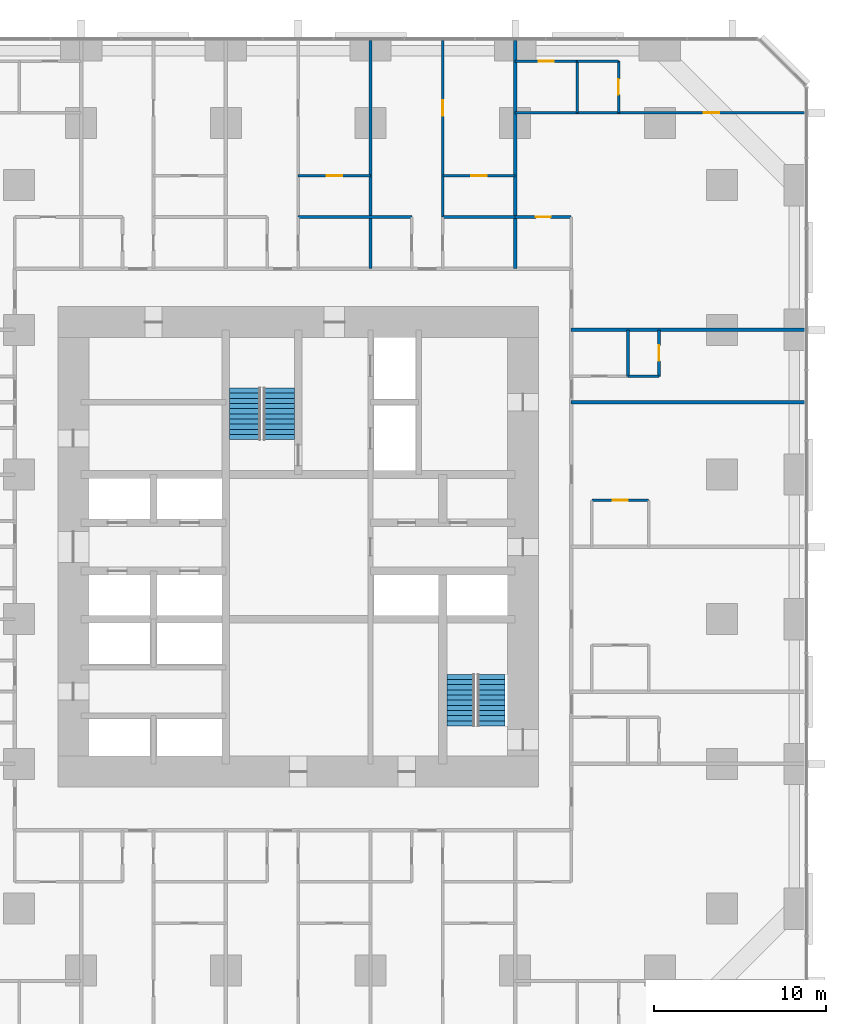
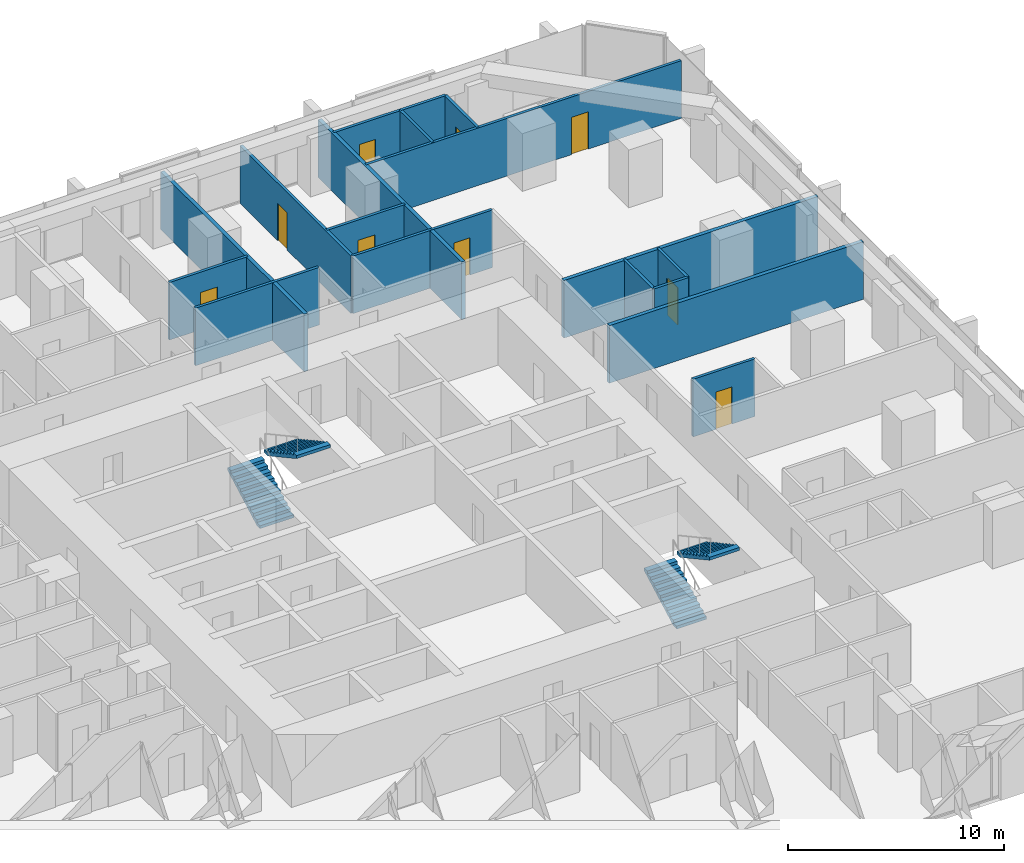
# One storey, part 16 of 17: 19 walls, 9 doors, 4 stair flights, 9 openings, 2 elements without a shape of their own.
"""IFC4 building model written with IfcOpenShell, lengths in metres."""

import ifcopenshell
import ifcopenshell.guid

model = None  # the IFC model being written
_history = None  # IfcOwnerHistory: only IFC2X3 demands one
_inside = {}  # id of a spatial element -> (the spatial element, [elements in it])
_under = {}  # id of a project, library or spatial element -> (it, [spatial elements below it])
_declared = {}  # id of a project -> (the project, [libraries it declares])
_typed = {}  # id of a type object -> (the type object, [elements of that type])
_made_of = {}  # id of a material, layer set ... -> (it, [elements and type objects made of it])


def new_model(schema):
    """Start an empty IFC model of exactly this schema.

    Asked for "IFC4X3", IfcOpenShell would pick the latest addendum, in which some entities
    have other attributes; the version numbers below select the first issue.
    IFC2X3 requires an IfcOwnerHistory on every rooted entity: one is made here for all.
    """
    global model, _history
    if schema == "IFC4X3":
        model = ifcopenshell.file(schema_version=(4, 3, 0, 0))
    else:
        model = ifcopenshell.file(schema=schema)
    _inside.clear()
    _under.clear()
    _declared.clear()
    _typed.clear()
    _made_of.clear()
    _history = None
    if model.schema == "IFC2X3":
        org = make("IfcOrganization", Name="unknown")
        user = make(
            "IfcPersonAndOrganization",
            ThePerson=make("IfcPerson", FamilyName="unknown"),
            TheOrganization=org,
        )
        app = make(
            "IfcApplication",
            ApplicationDeveloper=org,
            Version="unknown",
            ApplicationFullName="unknown",
            ApplicationIdentifier="unknown",
        )
        _history = make(
            "IfcOwnerHistory",
            OwningUser=user,
            OwningApplication=app,
            ChangeAction="ADDED",
            CreationDate=0,
        )
    return model


def make(cls, **values):
    """One entity of the class cls with the attributes given. An attribute that is None is left unset."""
    return model.create_entity(
        cls, **{name: value for name, value in values.items() if value is not None}
    )


def rooted(cls, **values):
    """An entity with a GlobalId (a new one), such as an element, a storey or a relation."""
    return make(cls, GlobalId=ifcopenshell.guid.new(), OwnerHistory=_history, **values)


def si_unit(unit_type, name, prefix=None):
    """IfcSIUnit, for example si_unit("LENGTHUNIT", "METRE", prefix="MILLI")."""
    return make("IfcSIUnit", UnitType=unit_type, Prefix=prefix, Name=name)


def assignment(units):
    """IfcUnitAssignment: the units of a project."""
    return None if units is None else make("IfcUnitAssignment", Units=units)


def point(xyz):
    """IfcCartesianPoint."""
    return None if xyz is None else make("IfcCartesianPoint", Coordinates=xyz)


def direction(xyz):
    """IfcDirection."""
    return None if xyz is None else make("IfcDirection", DirectionRatios=xyz)


def frame(location, z_axis=None, x_axis=None):
    """IfcAxis2Placement3D, a coordinate frame: its origin and axes. An axis left out is left unset."""
    return make(
        "IfcAxis2Placement3D",
        Location=point(location),
        Axis=direction(z_axis),
        RefDirection=direction(x_axis),
    )


def frame_2d(location, x_axis=None):
    """IfcAxis2Placement2D, a coordinate frame in the plane: its origin and x axis."""
    return make(
        "IfcAxis2Placement2D", Location=point(location), RefDirection=direction(x_axis)
    )


def origin():
    """The frame at (0, 0, 0) with its axes left unset."""
    return frame((0.0, 0.0, 0.0))


def place(relative_to, where):
    """IfcLocalPlacement: puts the frame where relative to a parent placement (None: the world)."""
    return make(
        "IfcLocalPlacement", PlacementRelTo=relative_to, RelativePlacement=where
    )


def context(
    kind, dimensions, precision=None, world=None, true_north=None, identifier=None
):
    """IfcGeometricRepresentationContext, for example the 3D "Model" context."""
    return make(
        "IfcGeometricRepresentationContext",
        ContextIdentifier=identifier,
        ContextType=kind,
        CoordinateSpaceDimension=dimensions,
        Precision=precision,
        WorldCoordinateSystem=world,
        TrueNorth=true_north,
    )


def subcontext(parent, identifier, kind, view, scale=None):
    """IfcGeometricRepresentationSubContext, for example "Body" below "Model"."""
    return make(
        "IfcGeometricRepresentationSubContext",
        ContextIdentifier=identifier,
        ContextType=kind,
        ParentContext=parent,
        TargetScale=scale,
        TargetView=view,
    )


def project(units=None, contexts=None):
    """IfcProject with its units and contexts."""
    return rooted(
        "IfcProject",
        Name="project",
        RepresentationContexts=contexts,
        UnitsInContext=assignment(units),
    )


def spatial(cls, under=None, at=None, **own):
    """A site, building, storey or space (cls), placed at a placement, below another one or the project."""
    s = rooted(cls, ObjectPlacement=at, **own)
    if under is not None:
        _under.setdefault(under.id(), (under, []))[1].append(s)
    return s


def polyline(points):
    """IfcPolyline through the points."""
    return make("IfcPolyline", Points=[point(p) for p in points])


def profile(cls, at=None, kind="AREA", **sizes):
    """A parametric profile (cls). Its sizes go by their IFC names, for example OverallWidth=200.0."""
    return make(cls, ProfileType=kind, Position=at, **sizes)


def rectangle(**sizes):
    """IfcRectangleProfileDef."""
    return profile("IfcRectangleProfileDef", **sizes)


def outline(outer, holes=None, kind="AREA"):
    """IfcArbitraryClosedProfileDef: a profile drawn as a closed curve; with holes, ...WithVoids."""
    if holes is None:
        return make("IfcArbitraryClosedProfileDef", ProfileType=kind, OuterCurve=outer)
    return make(
        "IfcArbitraryProfileDefWithVoids",
        ProfileType=kind,
        OuterCurve=outer,
        InnerCurves=holes,
    )


def extrude(swept, where, along, depth):
    """IfcExtrudedAreaSolid: the profile swept, set in the frame where, extruded along a direction by depth."""
    return make(
        "IfcExtrudedAreaSolid",
        SweptArea=swept,
        Position=where,
        ExtrudedDirection=direction(along),
        Depth=depth,
    )


def shape(context_of_items, identifier, shape_type, items):
    """IfcShapeRepresentation: the items that make up one representation, for example the "Body"."""
    return make(
        "IfcShapeRepresentation",
        ContextOfItems=context_of_items,
        RepresentationIdentifier=identifier,
        RepresentationType=shape_type,
        Items=items,
    )


def material(Name=None, Category=None):
    """IfcMaterial."""
    return make("IfcMaterial", Name=Name, Category=Category)


def layer(
    of_material, thickness, ventilated=None, Name=None, Category=None, Priority=None
):
    """IfcMaterialLayer: one layer of a wall or slab, of a material (None: an air gap)."""
    return make(
        "IfcMaterialLayer",
        Material=of_material,
        LayerThickness=thickness,
        IsVentilated=ventilated,
        Name=Name,
        Category=Category,
        Priority=Priority,
    )


def layer_set(layers, Name=None):
    """IfcMaterialLayerSet."""
    return make("IfcMaterialLayerSet", MaterialLayers=layers, LayerSetName=Name)


def made_of(thing, what):
    """Note that an element or type object is made of a material, layer set ...; save() writes the relation."""
    if what is not None:
        _made_of.setdefault(what.id(), (what, []))[1].append(thing)
    return thing


def type_object(cls, material=None, **own):
    """A type object (cls), such as IfcWallType, which elements share."""
    return made_of(rooted(cls, **own), material)


def element(
    cls,
    number,
    at=None,
    inside=None,
    cuts=None,
    type_object=None,
    material=None,
    context=None,
    identifier="Body",
    shape_type=None,
    held_by="IfcProductDefinitionShape",
    body=None,
    shapes=None,
    **own,
):
    """One element of the class cls, such as IfcWall. Its Tag is "e" and its number.

    at: its placement. inside: the storey or other place that contains it. cuts: it is an
    opening in that element (IfcRelVoidsElement). A single representation is given by context,
    identifier, shape_type and body (its items); several are given by shapes. held_by: the class
    of the entity that holds the representations. save() writes the other relations.
    """
    e = rooted(cls, Tag="e%d" % number, ObjectPlacement=at, **own)
    if body is not None:
        shapes = [shape(context, identifier, shape_type, body)]
    if shapes is not None:
        e.Representation = make(held_by, Representations=shapes)
    if inside is not None:
        _inside.setdefault(inside.id(), (inside, []))[1].append(e)
    if cuts is not None:
        rooted(
            "IfcRelVoidsElement", RelatingBuildingElement=cuts, RelatedOpeningElement=e
        )
    if type_object is not None:
        _typed.setdefault(type_object.id(), (type_object, []))[1].append(e)
    return made_of(e, material)


def fill(opening, filler):
    """IfcRelFillsElement: the door or window that sits in an opening."""
    return rooted(
        "IfcRelFillsElement",
        RelatingOpeningElement=opening,
        RelatedBuildingElement=filler,
    )


def aggregate(whole, parts):
    """IfcRelAggregates: a whole, such as a stair, and the parts it consists of."""
    return rooted("IfcRelAggregates", RelatingObject=whole, RelatedObjects=parts)


def save(model, path):
    """Write the relations noted so far, then the file.

    IfcRelAggregates (storeys below a building ...), IfcRelContainedInSpatialStructure (elements
    in a storey), IfcRelDefinesByType, IfcRelAssociatesMaterial and IfcRelDeclares: one each for
    every whole, place, type object, material and project.
    """
    for whole, parts in _under.values():
        aggregate(whole, parts)
    for where, things in _inside.values():
        rooted(
            "IfcRelContainedInSpatialStructure",
            RelatedElements=things,
            RelatingStructure=where,
        )
    for kind, things in _typed.values():
        rooted("IfcRelDefinesByType", RelatedObjects=things, RelatingType=kind)
    for what, things in _made_of.values():
        rooted("IfcRelAssociatesMaterial", RelatedObjects=things, RelatingMaterial=what)
    for by, libraries in _declared.values():
        rooted("IfcRelDeclares", RelatingContext=by, RelatedDefinitions=libraries)
    model.write(path)


model = new_model("IFC4")

# Units and contexts
model_context = context("Model", 3, precision=1e-05, world=origin(), true_north=direction((0.0, 1.0)))
body_context = subcontext(model_context, "Body", "Model", "MODEL_VIEW")
ifc_project = project(units=[si_unit("LENGTHUNIT", "METRE"), si_unit("AREAUNIT", "SQUARE_METRE"), si_unit("VOLUMEUNIT", "CUBIC_METRE"), si_unit("PLANEANGLEUNIT", "RADIAN"), si_unit("MASSUNIT", "GRAM", prefix="KILO")], contexts=[model_context])

# Site, building, storey
site_placement = place(None, origin())
site = spatial("IfcSite", under=ifc_project, at=site_placement, CompositionType="ELEMENT")
building_placement = place(site_placement, origin())
building = spatial("IfcBuilding", under=site, at=building_placement, Name="Dunama Terrace Hotel", CompositionType="ELEMENT")
storey_placement = place(building_placement, frame((0.0, 0.0, 45.0)))
storey = spatial("IfcBuildingStorey", under=building, at=storey_placement, Name="L10", CompositionType="ELEMENT", Elevation=45.0)

# Wall, opening, door
ifc_material_1 = material(Name="Gypsum board partition", Category="masonry")
ifc_layer_1 = layer(ifc_material_1, 0.14990234375)
ifc_layer_set_1 = layer_set([ifc_layer_1], Name="Bathroom partition 150")
wall_type_1 = type_object("IfcWallType", Name="Bathroom partition 150", PredefinedType="PARTITIONING", material=ifc_layer_set_1)
wall_1_placement = place(storey_placement, frame((46.449951171875, 32.10009765625, 0.0), z_axis=(0.0, 0.0, 1.0), x_axis=(1.0, 0.0, 0.0)))
wall_1 = element("IfcWall", 1, at=wall_1_placement, inside=storey, type_object=wall_type_1, Name="Bathroom partition 150 L10", PredefinedType="PARTITIONING", context=body_context, shape_type="SweptSolid", body=[
    extrude(rectangle(XDim=3.300048828125, YDim=0.14990234375, at=frame_2d((1.64990234375, 0.0))), origin(), (0.0, 0.0, 1.0), 3.25),
])
opening_1_placement = place(wall_1_placement, frame((1.22509765625, 0.0, 0.0)))
opening_1 = element("IfcOpeningElement", 2, at=opening_1_placement, cuts=wall_1, Name="Opening L10-11-030", PredefinedType="OPENING", context=body_context, shape_type="SweptSolid", body=[
    extrude(rectangle(XDim=0.85009765625, YDim=2.10009765625, at=frame_2d((0.425048828125, 1.050048828125))), frame((0.0, 0.0849609375, 0.0), z_axis=(0.0, -1.0, 0.0), x_axis=(1.0, 0.0, 0.0)), (0.0, 0.0, 1.0), 0.169921875),
])
ifc_material_2 = material(Name="Timber door with steel frame", Category="steel")
door_type_1 = type_object("IfcDoorType", Name="Bathroom door 850", OperationType="SINGLE_SWING_LEFT", PredefinedType="DOOR", material=ifc_material_2)
door_1_placement = place(opening_1_placement, frame((0.85009765625, 0.0, 0.0), z_axis=(0.0, 0.0, 1.0), x_axis=(-1.0, 0.0, 0.0)))
door_1 = element("IfcDoor", 3, at=door_1_placement, inside=storey, type_object=door_type_1, Name="Door to en-suite bathroom L10-11-030, type D2", OperationType="SINGLE_SWING_LEFT", OverallHeight=2.10009765625, OverallWidth=0.85009765625, PredefinedType="DOOR", context=body_context, shape_type="SweptSolid", body=[
    extrude(rectangle(XDim=0.85009765625, YDim=2.10009765625, at=frame_2d((0.425048828125, 1.050048828125))), frame((0.0, 0.025146484375, 0.0), z_axis=(0.0, -1.0, 0.0), x_axis=(1.0, 0.0, 0.0)), (0.0, 0.0, 1.0), 0.050048828125),
])
fill(opening_1, door_1)

wall_2_placement = place(storey_placement, frame((42.0, 48.550048828125, 0.0), z_axis=(0.0, 0.0, 1.0), x_axis=(1.0, 0.0, 0.0)))
wall_2 = element("IfcWall", 4, at=wall_2_placement, inside=storey, type_object=wall_type_1, Name="Bathroom partition 150 L10", PredefinedType="PARTITIONING", context=body_context, shape_type="SweptSolid", body=[
    extrude(rectangle(XDim=3.25, YDim=0.14990234375, at=frame_2d((1.625, 0.0))), origin(), (0.0, 0.0, 1.0), 3.25),
])
opening_2_placement = place(wall_2_placement, frame((1.199951171875, 0.0, 0.0)))
opening_2 = element("IfcOpeningElement", 5, at=opening_2_placement, cuts=wall_2, Name="Opening L10-11-078", PredefinedType="OPENING", context=body_context, shape_type="SweptSolid", body=[
    extrude(rectangle(XDim=0.85009765625, YDim=2.10009765625, at=frame_2d((0.425048828125, 1.050048828125))), frame((0.0, 0.0849609375, 0.0), z_axis=(0.0, -1.0, 0.0), x_axis=(1.0, 0.0, 0.0)), (0.0, 0.0, 1.0), 0.169921875),
])
door_2_placement = place(opening_2_placement, frame((0.85009765625, 0.0, 0.0), z_axis=(0.0, 0.0, 1.0), x_axis=(-1.0, 0.0, 0.0)))
door_2 = element("IfcDoor", 6, at=door_2_placement, inside=storey, type_object=door_type_1, Name="Door to powder room L10-11-078, type D2", OperationType="SINGLE_SWING_RIGHT", OverallHeight=2.10009765625, OverallWidth=0.85009765625, PredefinedType="DOOR", context=body_context, shape_type="SweptSolid", body=[
    extrude(rectangle(XDim=0.85009765625, YDim=2.10009765625, at=frame_2d((0.425048828125, 1.050048828125))), frame((0.0, 0.025146484375, 0.0), z_axis=(0.0, -1.0, 0.0), x_axis=(1.0, 0.0, 0.0)), (0.0, 0.0, 1.0), 0.050048828125),
])
fill(opening_2, door_2)

wall_3_placement = place(storey_placement, frame((42.0, 57.60009765625, 0.0), z_axis=(0.0, 0.0, 1.0), x_axis=(1.0, 0.0, 0.0)))
wall_3 = element("IfcWall", 7, at=wall_3_placement, inside=storey, type_object=wall_type_1, Name="Bathroom partition 150 L10", PredefinedType="PARTITIONING", context=body_context, shape_type="SweptSolid", body=[
    extrude(rectangle(XDim=3.60009765625, YDim=0.14990234375, at=frame_2d((1.800048828125, 0.0))), origin(), (0.0, 0.0, 1.0), 3.25),
])
opening_3_placement = place(wall_3_placement, frame((1.375, 0.0, 0.0)))
opening_3 = element("IfcOpeningElement", 8, at=opening_3_placement, cuts=wall_3, Name="Opening L10-11-080", PredefinedType="OPENING", context=body_context, shape_type="SweptSolid", body=[
    extrude(rectangle(XDim=0.85009765625, YDim=2.10009765625, at=frame_2d((0.425048828125, 1.050048828125))), frame((0.0, 0.0849609375, 0.0), z_axis=(0.0, -1.0, 0.0), x_axis=(1.0, 0.0, 0.0)), (0.0, 0.0, 1.0), 0.169921875),
])
door_3_placement = place(opening_3_placement, frame((0.85009765625, 0.0, 0.0), z_axis=(0.0, 0.0, 1.0), x_axis=(-1.0, 0.0, 0.0)))
door_3 = element("IfcDoor", 9, at=door_3_placement, inside=storey, type_object=door_type_1, Name="Door to en-suite bathroom L10-11-080, type D2", OperationType="SINGLE_SWING_RIGHT", OverallHeight=2.10009765625, OverallWidth=0.85009765625, PredefinedType="DOOR", context=body_context, shape_type="SweptSolid", body=[
    extrude(rectangle(XDim=0.85009765625, YDim=2.10009765625, at=frame_2d((0.425048828125, 1.050048828125))), frame((0.0, 0.025146484375, 0.0), z_axis=(0.0, -1.0, 0.0), x_axis=(1.0, 0.0, 0.0)), (0.0, 0.0, 1.0), 0.050048828125),
])
fill(opening_3, door_3)

# Walls
ifc_material_3 = material(Name="Concrete blockwork", Category="masonry")
ifc_layer_2 = layer(ifc_material_3, 0.199951171875)
ifc_layer_set_2 = layer_set([ifc_layer_2], Name="Party wall 200")
wall_type_2 = type_object("IfcWallType", Name="Party wall 200", PredefinedType="PARTITIONING", material=ifc_layer_set_2)
for number, where, z_axis, x_axis, name in (
    (10, (33.60009765625, 45.550048828125, 0.0), (0.0, 0.0, 1.0), (0.0, 1.0, 0.0), "Party wall 200 L10"),
    (11, (42.0, 45.550048828125, 0.0), (0.0, 0.0, 1.0), (0.0, 1.0, 0.0), "Party wall 200 L10"),
):
    element("IfcWall", number, at=place(storey_placement, frame(where, z_axis=z_axis, x_axis=x_axis)), inside=storey, type_object=wall_type_2, Name=name, PredefinedType="PARTITIONING", context=body_context, shape_type="SweptSolid", body=[
        extrude(rectangle(XDim=13.258056640625, YDim=0.199951171875, at=frame_2d((6.62890625, 0.0))), origin(), (0.0, 0.0, 1.0), 3.25),
    ])
for number, where, z_axis, x_axis, name in (
    (12, (45.25, 37.800048828125, 0.0), (0.0, 0.0, 1.0), (1.0, 0.0, 0.0), "Party wall 200 L10"),
    (13, (45.25, 42.0, 0.0), (0.0, 0.0, 1.0), (1.0, 0.0, 0.0), "Party wall 200 L10"),
):
    element("IfcWall", number, at=place(storey_placement, frame(where, z_axis=z_axis, x_axis=x_axis)), inside=storey, type_object=wall_type_2, Name=name, PredefinedType="PARTITIONING", context=body_context, shape_type="SweptSolid", body=[
        extrude(rectangle(XDim=13.55810546875, YDim=0.199951171875, at=frame_2d((6.779052734375, 0.0))), origin(), (0.0, 0.0, 1.0), 3.25),
    ])

# Wall, opening, door
ifc_material_4 = material(Name="Gypsum board partition", Category="masonry")
ifc_layer_3 = layer(ifc_material_4, 0.14990234375)
ifc_layer_set_3 = layer_set([ifc_layer_3], Name="Room partition 150")
wall_type_3 = type_object("IfcWallType", Name="Room partition 150", PredefinedType="PARTITIONING", material=ifc_layer_set_3)
wall_4_placement = place(storey_placement, frame((37.800048828125, 48.550048828125, 0.0), z_axis=(0.0, 0.0, 1.0), x_axis=(0.0, 1.0, 0.0)))
wall_4 = element("IfcWall", 14, at=wall_4_placement, inside=storey, type_object=wall_type_3, Name="Room partition 150 L10", PredefinedType="PARTITIONING", context=body_context, shape_type="SweptSolid", body=[
    extrude(rectangle(XDim=10.258056640625, YDim=0.14990234375, at=frame_2d((5.12890625, 0.0))), origin(), (0.0, 0.0, 1.0), 3.25),
])
opening_4_placement = place(wall_4_placement, frame((5.875, 0.0, 0.0)))
opening_4 = element("IfcOpeningElement", 15, at=opening_4_placement, cuts=wall_4, Name="Opening L10-11-048", PredefinedType="OPENING", context=body_context, shape_type="SweptSolid", body=[
    extrude(rectangle(XDim=0.89990234375, YDim=2.10009765625, at=frame_2d((0.449951171875, 1.050048828125))), frame((0.0, 0.0849609375, 0.0), z_axis=(0.0, -1.0, 0.0), x_axis=(1.0, 0.0, 0.0)), (0.0, 0.0, 1.0), 0.169921875),
])
ifc_material_5 = material(Name="Timber door with steel frame", Category="steel")
door_type_2 = type_object("IfcDoorType", Name="Suite internal door 900", OperationType="SINGLE_SWING_LEFT", PredefinedType="DOOR", material=ifc_material_5)
door_4_placement = place(opening_4_placement, frame((0.89990234375, 0.0, 0.0), z_axis=(0.0, 0.0, 1.0), x_axis=(-1.0, 0.0, 0.0)))
door_4 = element("IfcDoor", 16, at=door_4_placement, inside=storey, type_object=door_type_2, Name="Door to residence bedroom L10-11-048, type D16", OperationType="SINGLE_SWING_RIGHT", OverallHeight=2.10009765625, OverallWidth=0.89990234375, PredefinedType="DOOR", context=body_context, shape_type="SweptSolid", body=[
    extrude(rectangle(XDim=0.89990234375, YDim=2.10009765625, at=frame_2d((0.449951171875, 1.050048828125))), frame((0.0, 0.025146484375, 0.0), z_axis=(0.0, -1.0, 0.0), x_axis=(1.0, 0.0, 0.0)), (0.0, 0.0, 1.0), 0.050048828125),
])
fill(opening_4, door_4)

# Wall
wall_5_placement = place(storey_placement, frame((45.60009765625, 54.60009765625, 0.0), z_axis=(0.0, 0.0, 1.0), x_axis=(0.0, 1.0, 0.0)))
element("IfcWall", 17, at=wall_5_placement, inside=storey, type_object=wall_type_3, Name="Room partition 150 L10", PredefinedType="PARTITIONING", context=body_context, shape_type="SweptSolid", body=[
    extrude(rectangle(XDim=3.0, YDim=0.14990234375, at=frame_2d((1.5, 0.0))), origin(), (0.0, 0.0, 1.0), 3.25),
])

# Wall, opening, door
wall_6_placement = place(storey_placement, frame((48.0, 54.60009765625, 0.0), z_axis=(0.0, 0.0, 1.0), x_axis=(0.0, 1.0, 0.0)))
wall_6 = element("IfcWall", 18, at=wall_6_placement, inside=storey, type_object=wall_type_3, Name="Room partition 150 L10", PredefinedType="PARTITIONING", context=body_context, shape_type="SweptSolid", body=[
    extrude(rectangle(XDim=3.0, YDim=0.14990234375, at=frame_2d((1.5, 0.0))), origin(), (0.0, 0.0, 1.0), 3.25),
])
opening_5_placement = place(wall_6_placement, frame((1.050048828125, 0.0, 0.0)))
opening_5 = element("IfcOpeningElement", 19, at=opening_5_placement, cuts=wall_6, Name="Opening L10-11-081", PredefinedType="OPENING", context=body_context, shape_type="SweptSolid", body=[
    extrude(rectangle(XDim=0.89990234375, YDim=2.10009765625, at=frame_2d((0.449951171875, 1.050048828125))), frame((0.0, 0.0849609375, 0.0), z_axis=(0.0, -1.0, 0.0), x_axis=(1.0, 0.0, 0.0)), (0.0, 0.0, 1.0), 0.169921875),
])
door_5_placement = place(opening_5_placement, origin())
door_5 = element("IfcDoor", 20, at=door_5_placement, inside=storey, type_object=door_type_2, Name="Door to dressing room L10-11-081, type D16", OperationType="SINGLE_SWING_LEFT", OverallHeight=2.10009765625, OverallWidth=0.89990234375, PredefinedType="DOOR", context=body_context, shape_type="SweptSolid", body=[
    extrude(rectangle(XDim=0.89990234375, YDim=2.10009765625, at=frame_2d((0.449951171875, 1.050048828125))), frame((0.0, 0.02490234375, 0.0), z_axis=(0.0, -1.0, 0.0), x_axis=(1.0, 0.0, 0.0)), (0.0, 0.0, 1.0), 0.050048828125),
])
fill(opening_5, door_5)

# Wall
wall_7_placement = place(storey_placement, frame((48.550048828125, 39.300048828125, 0.0), z_axis=(0.0, 0.0, 1.0), x_axis=(0.0, 1.0, 0.0)))
element("IfcWall", 21, at=wall_7_placement, inside=storey, type_object=wall_type_3, Name="Room partition 150 L10", PredefinedType="PARTITIONING", context=body_context, shape_type="SweptSolid", body=[
    extrude(rectangle(XDim=2.699951171875, YDim=0.14990234375, at=frame_2d((1.35009765625, 0.0))), origin(), (0.0, 0.0, 1.0), 3.25),
])

# Wall, opening, door
wall_8_placement = place(storey_placement, frame((50.35009765625, 39.300048828125, 0.0), z_axis=(0.0, 0.0, 1.0), x_axis=(0.0, 1.0, 0.0)))
wall_8 = element("IfcWall", 22, at=wall_8_placement, inside=storey, type_object=wall_type_3, Name="Room partition 150 L10", PredefinedType="PARTITIONING", context=body_context, shape_type="SweptSolid", body=[
    extrude(rectangle(XDim=2.699951171875, YDim=0.14990234375, at=frame_2d((1.35009765625, 0.0))), origin(), (0.0, 0.0, 1.0), 3.25),
])
opening_6_placement = place(wall_8_placement, frame((0.89990234375, 0.0, 0.0)))
opening_6 = element("IfcOpeningElement", 23, at=opening_6_placement, cuts=wall_8, Name="Opening L10-11-033", PredefinedType="OPENING", context=body_context, shape_type="SweptSolid", body=[
    extrude(rectangle(XDim=0.89990234375, YDim=2.10009765625, at=frame_2d((0.449951171875, 1.050048828125))), frame((0.0, 0.0849609375, 0.0), z_axis=(0.0, -1.0, 0.0), x_axis=(1.0, 0.0, 0.0)), (0.0, 0.0, 1.0), 0.169921875),
])
door_6_placement = place(opening_6_placement, origin())
door_6 = element("IfcDoor", 24, at=door_6_placement, inside=storey, type_object=door_type_2, Name="Door to walk-in wardrobe L10-11-033, type D16", OperationType="SINGLE_SWING_RIGHT", OverallHeight=2.10009765625, OverallWidth=0.89990234375, PredefinedType="DOOR", context=body_context, shape_type="SweptSolid", body=[
    extrude(rectangle(XDim=0.89990234375, YDim=2.10009765625, at=frame_2d((0.449951171875, 1.050048828125))), frame((0.0, 0.02490234375, 0.0), z_axis=(0.0, -1.0, 0.0), x_axis=(1.0, 0.0, 0.0)), (0.0, 0.0, 1.0), 0.050048828125),
])
fill(opening_6, door_6)

# Walls
wall_9_placement = place(storey_placement, frame((48.550048828125, 39.300048828125, 0.0), z_axis=(0.0, 0.0, 1.0), x_axis=(1.0, 0.0, 0.0)))
element("IfcWall", 25, at=wall_9_placement, inside=storey, type_object=wall_type_3, Name="Room partition 150 L10", PredefinedType="PARTITIONING", context=body_context, shape_type="SweptSolid", body=[
    extrude(rectangle(XDim=1.800048828125, YDim=0.14990234375, at=frame_2d((0.89990234375, 0.0))), origin(), (0.0, 0.0, 1.0), 3.25),
])
wall_10_placement = place(storey_placement, frame((29.39990234375, 48.550048828125, 0.0), z_axis=(0.0, 0.0, 1.0), x_axis=(1.0, 0.0, 0.0)))
element("IfcWall", 26, at=wall_10_placement, inside=storey, type_object=wall_type_3, Name="Room partition 150 L10", PredefinedType="PARTITIONING", context=body_context, shape_type="SweptSolid", body=[
    extrude(rectangle(XDim=6.60009765625, YDim=0.14990234375, at=frame_2d((3.300048828125, 0.0))), origin(), (0.0, 0.0, 1.0), 3.25),
])
wall_11_placement = place(storey_placement, frame((37.800048828125, 48.550048828125, 0.0), z_axis=(0.0, 0.0, 1.0), x_axis=(1.0, 0.0, 0.0)))
element("IfcWall", 27, at=wall_11_placement, inside=storey, type_object=wall_type_3, Name="Room partition 150 L10", PredefinedType="PARTITIONING", context=body_context, shape_type="SweptSolid", body=[
    extrude(rectangle(XDim=4.199951171875, YDim=0.14990234375, at=frame_2d((2.10009765625, 0.0))), origin(), (0.0, 0.0, 1.0), 3.25),
])

# Wall, opening, door
wall_12_placement = place(storey_placement, frame((29.39990234375, 50.949951171875, 0.0), z_axis=(0.0, 0.0, 1.0), x_axis=(1.0, 0.0, 0.0)))
wall_12 = element("IfcWall", 28, at=wall_12_placement, inside=storey, type_object=wall_type_3, Name="Room partition 150 L10", PredefinedType="PARTITIONING", context=body_context, shape_type="SweptSolid", body=[
    extrude(rectangle(XDim=4.2001953125, YDim=0.14990234375, at=frame_2d((2.10009765625, 0.0))), origin(), (0.0, 0.0, 1.0), 3.25),
])
opening_7_placement = place(wall_12_placement, frame((1.64990234375, 0.0, 0.0)))
opening_7 = element("IfcOpeningElement", 29, at=opening_7_placement, cuts=wall_12, Name="Opening L10-11-042", PredefinedType="OPENING", context=body_context, shape_type="SweptSolid", body=[
    extrude(rectangle(XDim=0.89990234375, YDim=2.10009765625, at=frame_2d((0.449951171875, 1.050048828125))), frame((0.0, 0.0849609375, 0.0), z_axis=(0.0, -1.0, 0.0), x_axis=(1.0, 0.0, 0.0)), (0.0, 0.0, 1.0), 0.169921875),
])
door_7_placement = place(opening_7_placement, frame((0.89990234375, 0.0, 0.0), z_axis=(0.0, 0.0, 1.0), x_axis=(-1.0, 0.0, 0.0)))
door_7 = element("IfcDoor", 30, at=door_7_placement, inside=storey, type_object=door_type_2, Name="Door to walk-in wardrobe L10-11-042, type D16", OperationType="SINGLE_SWING_RIGHT", OverallHeight=2.10009765625, OverallWidth=0.89990234375, PredefinedType="DOOR", context=body_context, shape_type="SweptSolid", body=[
    extrude(rectangle(XDim=0.89990234375, YDim=2.10009765625, at=frame_2d((0.449951171875, 1.050048828125))), frame((0.0, 0.025146484375, 0.0), z_axis=(0.0, -1.0, 0.0), x_axis=(1.0, 0.0, 0.0)), (0.0, 0.0, 1.0), 0.050048828125),
])
fill(opening_7, door_7)

wall_13_placement = place(storey_placement, frame((37.800048828125, 50.949951171875, 0.0), z_axis=(0.0, 0.0, 1.0), x_axis=(1.0, 0.0, 0.0)))
wall_13 = element("IfcWall", 31, at=wall_13_placement, inside=storey, type_object=wall_type_3, Name="Room partition 150 L10", PredefinedType="PARTITIONING", context=body_context, shape_type="SweptSolid", body=[
    extrude(rectangle(XDim=4.199951171875, YDim=0.14990234375, at=frame_2d((2.10009765625, 0.0))), origin(), (0.0, 0.0, 1.0), 3.25),
])
opening_8_placement = place(wall_13_placement, frame((1.64990234375, 0.0, 0.0)))
opening_8 = element("IfcOpeningElement", 32, at=opening_8_placement, cuts=wall_13, Name="Opening L10-11-047", PredefinedType="OPENING", context=body_context, shape_type="SweptSolid", body=[
    extrude(rectangle(XDim=0.89990234375, YDim=2.10009765625, at=frame_2d((0.449951171875, 1.050048828125))), frame((0.0, 0.0849609375, 0.0), z_axis=(0.0, -1.0, 0.0), x_axis=(1.0, 0.0, 0.0)), (0.0, 0.0, 1.0), 0.169921875),
])
door_8_placement = place(opening_8_placement, frame((0.89990234375, 0.0, 0.0), z_axis=(0.0, 0.0, 1.0), x_axis=(-1.0, 0.0, 0.0)))
door_8 = element("IfcDoor", 33, at=door_8_placement, inside=storey, type_object=door_type_2, Name="Door to walk-in wardrobe L10-11-047, type D16", OperationType="SINGLE_SWING_RIGHT", OverallHeight=2.10009765625, OverallWidth=0.89990234375, PredefinedType="DOOR", context=body_context, shape_type="SweptSolid", body=[
    extrude(rectangle(XDim=0.89990234375, YDim=2.10009765625, at=frame_2d((0.449951171875, 1.050048828125))), frame((0.0, 0.025146484375, 0.0), z_axis=(0.0, -1.0, 0.0), x_axis=(1.0, 0.0, 0.0)), (0.0, 0.0, 1.0), 0.050048828125),
])
fill(opening_8, door_8)

wall_14_placement = place(storey_placement, frame((42.0, 54.60009765625, 0.0), z_axis=(0.0, 0.0, 1.0), x_axis=(1.0, 0.0, 0.0)))
wall_14 = element("IfcWall", 34, at=wall_14_placement, inside=storey, type_object=wall_type_3, Name="Room partition 150 L10", PredefinedType="PARTITIONING", context=body_context, shape_type="SweptSolid", body=[
    extrude(rectangle(XDim=16.80810546875, YDim=0.14990234375, at=frame_2d((8.404052734375, 0.0))), origin(), (0.0, 0.0, 1.0), 3.25),
])
opening_9_placement = place(wall_14_placement, frame((10.949951171875, 0.0, 0.0)))
opening_9 = element("IfcOpeningElement", 35, at=opening_9_placement, cuts=wall_14, Name="Opening L10-11-079", PredefinedType="OPENING", context=body_context, shape_type="SweptSolid", body=[
    extrude(rectangle(XDim=0.89990234375, YDim=2.10009765625, at=frame_2d((0.449951171875, 1.050048828125))), frame((0.0, 0.0849609375, 0.0), z_axis=(0.0, -1.0, 0.0), x_axis=(1.0, 0.0, 0.0)), (0.0, 0.0, 1.0), 0.169921875),
])
door_9_placement = place(opening_9_placement, origin())
door_9 = element("IfcDoor", 36, at=door_9_placement, inside=storey, type_object=door_type_2, Name="Door to corner suite bedroom L10-11-079, type D16", OperationType="SINGLE_SWING_LEFT", OverallHeight=2.10009765625, OverallWidth=0.89990234375, PredefinedType="DOOR", context=body_context, shape_type="SweptSolid", body=[
    extrude(rectangle(XDim=0.89990234375, YDim=2.10009765625, at=frame_2d((0.449951171875, 1.050048828125))), frame((0.0, 0.02490234375, 0.0), z_axis=(0.0, -1.0, 0.0), x_axis=(1.0, 0.0, 0.0)), (0.0, 0.0, 1.0), 0.050048828125),
])
fill(opening_9, door_9)

# Wall
wall_15_placement = place(storey_placement, frame((45.60009765625, 57.60009765625, 0.0), z_axis=(0.0, 0.0, 1.0), x_axis=(1.0, 0.0, 0.0)))
element("IfcWall", 37, at=wall_15_placement, inside=storey, type_object=wall_type_3, Name="Room partition 150 L10", PredefinedType="PARTITIONING", context=body_context, shape_type="SweptSolid", body=[
    extrude(rectangle(XDim=2.39990234375, YDim=0.14990234375, at=frame_2d((1.199951171875, 0.0))), origin(), (0.0, 0.0, 1.0), 3.25),
])

# Stair, stair flights
ifc_material_6 = material(Name="Concrete C40/50", Category="concrete")
stair_type_1 = type_object("IfcStairType", Name="Stair ST1-3600-1800", PredefinedType="HALF_TURN_STAIR", material=ifc_material_6)
stair_1_placement = place(storey_placement, origin())
stair_1 = element("IfcStair", 38, at=stair_1_placement, inside=storey, type_object=stair_type_1, Name="Stair ST1 L10", PredefinedType="HALF_TURN_STAIR")
ifc_material_7 = material(Name="Concrete C40/50", Category="concrete")
stair_flight_type_1 = type_object("IfcStairFlightType", Name="Stair flight ST1-3600-1800", PredefinedType="STRAIGHT", material=ifc_material_7)
stair_flight_1_placement = place(storey_placement, frame((26.324951171875, 35.625, 0.0), z_axis=(0.0, 0.0, 1.0), x_axis=(0.0, 1.0, 0.0)))
stair_flight_1 = element("IfcStairFlight", 39, at=stair_flight_1_placement, type_object=stair_flight_type_1, Name="ST1 flight 1", NumberOfRisers=11, NumberOfTreads=10, PredefinedType="STRAIGHT", RiserHeight=0.163636364, TreadLength=0.3, context=body_context, shape_type="SweptSolid", body=[
    extrude(outline(polyline([(0.0, 0.0), (0.0, 0.16357421875), (0.300048828125, 0.16357421875), (0.300048828125, 0.327392578125), (0.60009765625, 0.327392578125), (0.60009765625, 0.490966796875), (0.89990234375, 0.490966796875), (0.89990234375, 0.654541015625), (1.199951171875, 0.654541015625), (1.199951171875, 0.818115234375), (1.5, 0.818115234375), (1.5, 0.98193359375), (1.800048828125, 0.98193359375), (1.800048828125, 1.1455078125), (2.10009765625, 1.1455078125), (2.10009765625, 1.30908203125), (2.39990234375, 1.30908203125), (2.39990234375, 1.47265625), (2.699951171875, 1.47265625), (2.699951171875, 1.636474609375), (3.0, 1.636474609375), (3.0, 1.800048828125), (3.0, 1.465576171875), (0.31298828125, 0.0), (0.0, 0.0)])), frame((0.0, 0.89990234375, 0.0), z_axis=(0.0, -1.0, 0.0), x_axis=(1.0, 0.0, 0.0)), (0.0, 0.0, 1.0), 1.800048828125),
])
stair_flight_2_placement = place(storey_placement, frame((28.27490234375, 38.625, 1.800048828125), z_axis=(0.0, 0.0, 1.0), x_axis=(0.0, -1.0, 0.0)))
stair_flight_2 = element("IfcStairFlight", 40, at=stair_flight_2_placement, type_object=stair_flight_type_1, Name="ST1 flight 2", NumberOfRisers=11, NumberOfTreads=10, PredefinedType="STRAIGHT", RiserHeight=0.163636364, TreadLength=0.3, context=body_context, shape_type="SweptSolid", body=[
    extrude(outline(polyline([(0.0, 0.0), (0.0, 0.16357421875), (0.300048828125, 0.16357421875), (0.300048828125, 0.327392578125), (0.60009765625, 0.327392578125), (0.60009765625, 0.490966796875), (0.89990234375, 0.490966796875), (0.89990234375, 0.654541015625), (1.199951171875, 0.654541015625), (1.199951171875, 0.818115234375), (1.5, 0.818115234375), (1.5, 0.98193359375), (1.800048828125, 0.98193359375), (1.800048828125, 1.1455078125), (2.10009765625, 1.1455078125), (2.10009765625, 1.30908203125), (2.39990234375, 1.30908203125), (2.39990234375, 1.47265625), (2.699951171875, 1.47265625), (2.699951171875, 1.636474609375), (3.0, 1.636474609375), (3.0, 1.800048828125), (3.0, 1.465576171875), (0.31298828125, 0.0), (0.0, 0.0)])), frame((0.0, 0.89990234375, 0.0), z_axis=(0.0, -1.0, 0.0), x_axis=(1.0, 0.0, 0.0)), (0.0, 0.0, 1.0), 1.800048828125),
])
aggregate(stair_1, [stair_flight_1, stair_flight_2])

ifc_material_8 = material(Name="Concrete C40/50", Category="concrete")
stair_type_2 = type_object("IfcStairType", Name="Stair ST2-3600-1600", PredefinedType="HALF_TURN_STAIR", material=ifc_material_8)
stair_2_placement = place(storey_placement, origin())
stair_2 = element("IfcStair", 41, at=stair_2_placement, inside=storey, type_object=stair_type_2, Name="Stair ST2 L10", PredefinedType="HALF_TURN_STAIR")
ifc_material_9 = material(Name="Concrete C40/50", Category="concrete")
stair_flight_type_2 = type_object("IfcStairFlightType", Name="Stair flight ST2-3600-1600", PredefinedType="STRAIGHT", material=ifc_material_9)
stair_flight_3_placement = place(storey_placement, frame((38.85009765625, 19.0, 0.0), z_axis=(0.0, 0.0, 1.0), x_axis=(0.0, 1.0, 0.0)))
stair_flight_3 = element("IfcStairFlight", 42, at=stair_flight_3_placement, type_object=stair_flight_type_2, Name="ST2 flight 1", NumberOfRisers=11, NumberOfTreads=10, PredefinedType="STRAIGHT", RiserHeight=0.163636364, TreadLength=0.3, context=body_context, shape_type="SweptSolid", body=[
    extrude(outline(polyline([(0.0, 0.0), (0.0, 0.16357421875), (0.300048828125, 0.16357421875), (0.300048828125, 0.327392578125), (0.60009765625, 0.327392578125), (0.60009765625, 0.490966796875), (0.89990234375, 0.490966796875), (0.89990234375, 0.654541015625), (1.199951171875, 0.654541015625), (1.199951171875, 0.818115234375), (1.5, 0.818115234375), (1.5, 0.98193359375), (1.800048828125, 0.98193359375), (1.800048828125, 1.1455078125), (2.10009765625, 1.1455078125), (2.10009765625, 1.30908203125), (2.39990234375, 1.30908203125), (2.39990234375, 1.47265625), (2.699951171875, 1.47265625), (2.699951171875, 1.636474609375), (3.0, 1.636474609375), (3.0, 1.800048828125), (3.0, 1.465576171875), (0.31298828125, 0.0), (0.0, 0.0)])), frame((0.0, 0.800048828125, 0.0), z_axis=(0.0, -1.0, 0.0), x_axis=(1.0, 0.0, 0.0)), (0.0, 0.0, 1.0), 1.60009765625),
])
stair_flight_4_placement = place(storey_placement, frame((40.60009765625, 22.0, 1.800048828125), z_axis=(0.0, 0.0, 1.0), x_axis=(0.0, -1.0, 0.0)))
stair_flight_4 = element("IfcStairFlight", 43, at=stair_flight_4_placement, type_object=stair_flight_type_2, Name="ST2 flight 2", NumberOfRisers=11, NumberOfTreads=10, PredefinedType="STRAIGHT", RiserHeight=0.163636364, TreadLength=0.3, context=body_context, shape_type="SweptSolid", body=[
    extrude(outline(polyline([(0.0, 0.0), (0.0, 0.16357421875), (0.300048828125, 0.16357421875), (0.300048828125, 0.327392578125), (0.60009765625, 0.327392578125), (0.60009765625, 0.490966796875), (0.89990234375, 0.490966796875), (0.89990234375, 0.654541015625), (1.199951171875, 0.654541015625), (1.199951171875, 0.818115234375), (1.5, 0.818115234375), (1.5, 0.98193359375), (1.800048828125, 0.98193359375), (1.800048828125, 1.1455078125), (2.10009765625, 1.1455078125), (2.10009765625, 1.30908203125), (2.39990234375, 1.30908203125), (2.39990234375, 1.47265625), (2.699951171875, 1.47265625), (2.699951171875, 1.636474609375), (3.0, 1.636474609375), (3.0, 1.800048828125), (3.0, 1.465576171875), (0.31298828125, 0.0), (0.0, 0.0)])), frame((0.0, 0.800048828125, 0.0), z_axis=(0.0, -1.0, 0.0), x_axis=(1.0, 0.0, 0.0)), (0.0, 0.0, 1.0), 1.60009765625),
])
aggregate(stair_2, [stair_flight_3, stair_flight_4])

save(model, "model.ifc")
